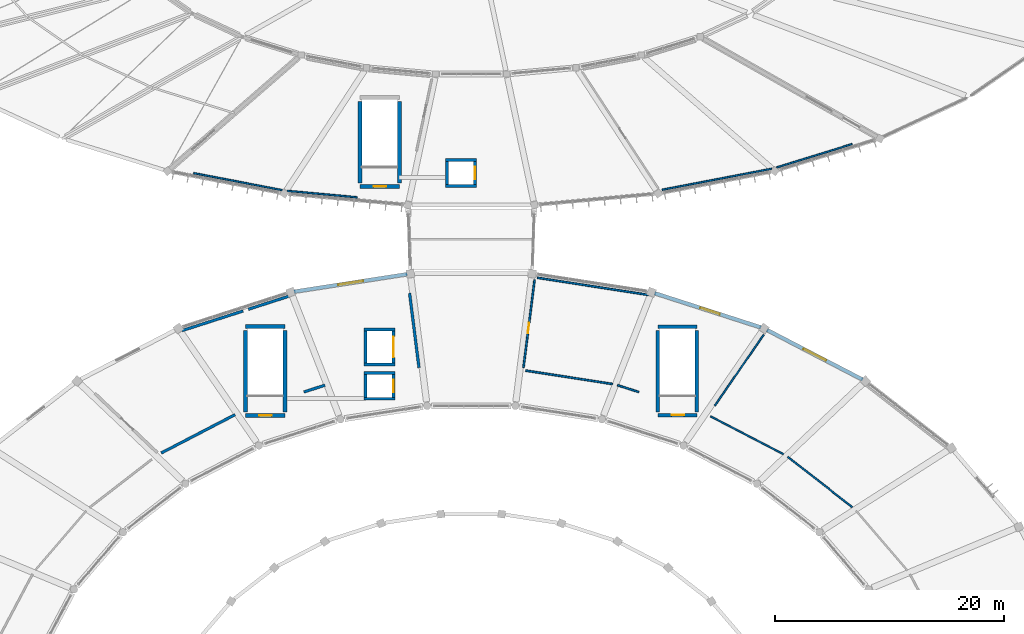
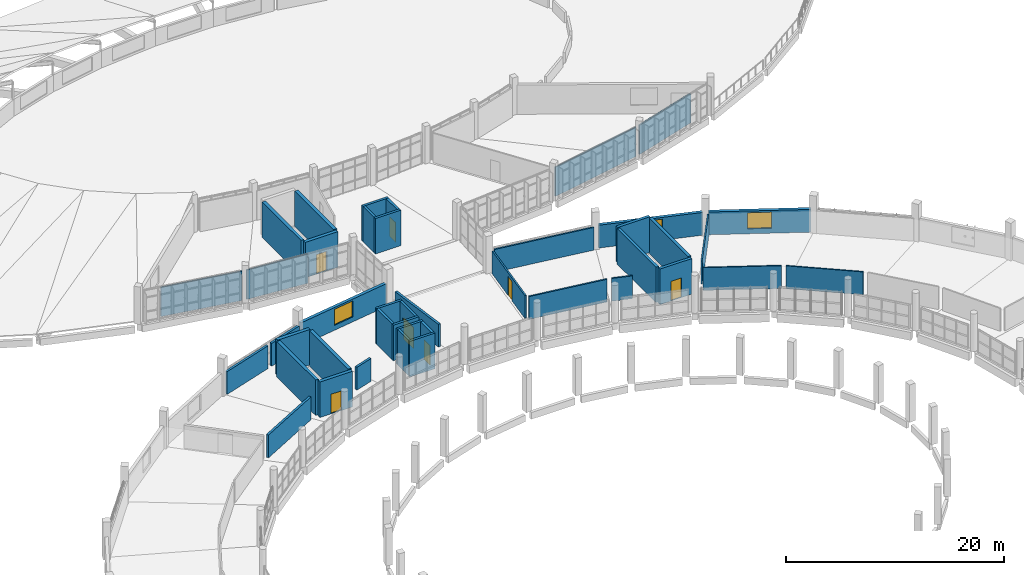
# One storey, part 100 of 142: 42 walls, 7 doors, 3 windows, 10 openings.
"""IFC4 building model written with IfcOpenShell, lengths in metres."""

from ifc_helpers import new_model, si_unit, direction, frame, frame_2d, origin, place, context, subcontext, project, spatial, rectangle, extrude, material, layer, layer_set, type_object, element, fill, save


model = new_model("IFC4")

# Units and contexts
model_context = context("Model", 3, precision=1e-05, world=origin(), true_north=direction((0.0, 1.0)))
body_context = subcontext(model_context, "Body", "Model", "MODEL_VIEW")
ifc_project = project(units=[si_unit("LENGTHUNIT", "METRE"), si_unit("AREAUNIT", "SQUARE_METRE"), si_unit("VOLUMEUNIT", "CUBIC_METRE"), si_unit("PLANEANGLEUNIT", "RADIAN"), si_unit("MASSUNIT", "GRAM", prefix="KILO")], contexts=[model_context])

# Site, building, storey
site_placement = place(None, origin())
site = spatial("IfcSite", under=ifc_project, at=site_placement, CompositionType="ELEMENT")
building_placement = place(site_placement, origin())
building = spatial("IfcBuilding", under=site, at=building_placement, Name="Corvandel Quay Wholesale Market", CompositionType="ELEMENT")
storey_placement = place(building_placement, frame((0.0, 0.0, 10.800048828125)))
storey = spatial("IfcBuildingStorey", under=building, at=storey_placement, Name="L02", CompositionType="ELEMENT", Elevation=10.800048828125)

# Wall, opening, door
ifc_material_1 = material(Name="Concrete C40/50", Category="concrete")
ifc_layer_1 = layer(ifc_material_1, 0.35009765625)
ifc_layer_set_1 = layer_set([ifc_layer_1], Name="Concrete C40/50")
wall_type_1 = type_object("IfcWallType", Name="Core Shear Wall SW01 350", PredefinedType="SHEAR", material=ifc_layer_set_1)
wall_1_placement = place(storey_placement, frame((94.27490234375, 71.625, 0.0), z_axis=(0.0, 0.0, 1.0), x_axis=(1.0, 0.0, 0.0)))
wall_1 = element("IfcWall", 1, at=wall_1_placement, inside=storey, type_object=wall_type_1, Name="Shear Wall IW-0009", PredefinedType="SHEAR", context=body_context, shape_type="SweptSolid", body=[
    extrude(rectangle(XDim=3.4501953125, YDim=0.35009765625, at=frame_2d((1.72509765625, 0.0))), origin(), (0.0, 0.0, 1.0), 3.97998046875),
])
opening_1_placement = place(wall_1_placement, frame((1.199951171875, 0.0, 0.0)))
opening_1 = element("IfcOpeningElement", 2, at=opening_1_placement, cuts=wall_1, Name="Opening L02-D007", PredefinedType="OPENING", context=body_context, shape_type="SweptSolid", body=[
    extrude(rectangle(XDim=1.10009765625, YDim=2.199951171875, at=frame_2d((0.550048828125, 1.10009765625))), frame((0.0, 0.18505859375, 0.0), z_axis=(0.0, -1.0, 0.0), x_axis=(1.0, 0.0, 0.0)), (0.0, 0.0, 1.0), 0.3701171875),
])
ifc_material_2 = material(Name="Galvanised fire-rated hollow steel", Category="steel")
door_type_1 = type_object("IfcDoorType", Name="Exit Stair Fire Door ID01 1100x2200L", OperationType="SINGLE_SWING_LEFT", PredefinedType="DOOR", material=ifc_material_2)
door_1_placement = place(opening_1_placement, origin())
door_1 = element("IfcDoor", 3, at=door_1_placement, inside=storey, type_object=door_type_1, Name="Exit Stair Door SH01-L02", OperationType="SINGLE_SWING_LEFT", OverallHeight=2.199951171875, OverallWidth=1.10009765625, PredefinedType="DOOR", context=body_context, shape_type="SweptSolid", body=[
    extrude(rectangle(XDim=1.10009765625, YDim=2.199951171875, at=frame_2d((0.550048828125, 1.10009765625))), frame((0.0, 0.02490234375, 0.0), z_axis=(0.0, -1.0, 0.0), x_axis=(1.0, 0.0, 0.0)), (0.0, 0.0, 1.0), 0.050048828125),
])
fill(opening_1, door_1)

# Walls
wall_2_placement = place(storey_placement, frame((94.27490234375, 79.375, 0.0), z_axis=(0.0, 0.0, 1.0), x_axis=(1.0, 0.0, 0.0)))
element("IfcWall", 4, at=wall_2_placement, inside=storey, type_object=wall_type_1, Name="Shear Wall IW-0010", PredefinedType="SHEAR", context=body_context, shape_type="SweptSolid", body=[
    extrude(rectangle(XDim=3.4501953125, YDim=0.35009765625, at=frame_2d((1.72509765625, 0.0))), origin(), (0.0, 0.0, 1.0), 3.97998046875),
])
for number, where, z_axis, x_axis, name in (
    (5, (94.27490234375, 71.93994140625, 0.0), (0.0, 0.0, 1.0), (0.0, 1.0, 0.0), "Shear Wall IW-0011"),
    (6, (97.72509765625, 71.93994140625, 0.0), (0.0, 0.0, 1.0), (0.0, 1.0, 0.0), "Shear Wall IW-0012"),
):
    element("IfcWall", number, at=place(storey_placement, frame(where, z_axis=z_axis, x_axis=x_axis)), inside=storey, type_object=wall_type_1, Name=name, PredefinedType="SHEAR", context=body_context, shape_type="SweptSolid", body=[
        extrude(rectangle(XDim=7.1201171875, YDim=0.35009765625, at=frame_2d((3.56005859375, 0.0))), origin(), (0.0, 0.0, 1.0), 3.97998046875),
    ])

# Wall, opening, door
wall_3_placement = place(storey_placement, frame((104.27490234375, 91.625, 0.0), z_axis=(0.0, 0.0, 1.0), x_axis=(1.0, 0.0, 0.0)))
wall_3 = element("IfcWall", 7, at=wall_3_placement, inside=storey, type_object=wall_type_1, Name="Shear Wall IW-0057", PredefinedType="SHEAR", context=body_context, shape_type="SweptSolid", body=[
    extrude(rectangle(XDim=3.4501953125, YDim=0.35009765625, at=frame_2d((1.72509765625, 0.0))), origin(), (0.0, 0.0, 1.0), 3.97998046875),
])
opening_2_placement = place(wall_3_placement, frame((1.199951171875, 0.0, 0.0)))
opening_2 = element("IfcOpeningElement", 8, at=opening_2_placement, cuts=wall_3, Name="Opening L02-D011", PredefinedType="OPENING", context=body_context, shape_type="SweptSolid", body=[
    extrude(rectangle(XDim=1.10009765625, YDim=2.199951171875, at=frame_2d((0.550048828125, 1.10009765625))), frame((0.0, 0.18505859375, 0.0), z_axis=(0.0, -1.0, 0.0), x_axis=(1.0, 0.0, 0.0)), (0.0, 0.0, 1.0), 0.3701171875),
])
door_2_placement = place(opening_2_placement, origin())
door_2 = element("IfcDoor", 9, at=door_2_placement, inside=storey, type_object=door_type_1, Name="Exit Stair Door SH05-L02", OperationType="SINGLE_SWING_LEFT", OverallHeight=2.199951171875, OverallWidth=1.10009765625, PredefinedType="DOOR", context=body_context, shape_type="SweptSolid", body=[
    extrude(rectangle(XDim=1.10009765625, YDim=2.199951171875, at=frame_2d((0.550048828125, 1.10009765625))), frame((0.0, 0.02490234375, 0.0), z_axis=(0.0, -1.0, 0.0), x_axis=(1.0, 0.0, 0.0)), (0.0, 0.0, 1.0), 0.050048828125),
])
fill(opening_2, door_2)

# Walls
for number, where, z_axis, x_axis, name in (
    (10, (104.27490234375, 91.93994140625, 0.0), (0.0, 0.0, 1.0), (0.0, 1.0, 0.0), "Shear Wall IW-0059"),
    (11, (107.72509765625, 91.93994140625, 0.0), (0.0, 0.0, 1.0), (0.0, 1.0, 0.0), "Shear Wall IW-0060"),
):
    element("IfcWall", number, at=place(storey_placement, frame(where, z_axis=z_axis, x_axis=x_axis)), inside=storey, type_object=wall_type_1, Name=name, PredefinedType="SHEAR", context=body_context, shape_type="SweptSolid", body=[
        extrude(rectangle(XDim=7.1201171875, YDim=0.35009765625, at=frame_2d((3.56005859375, 0.0))), origin(), (0.0, 0.0, 1.0), 3.97998046875),
    ])
ifc_material_3 = material(Name="Lightweight concrete blockwork", Category="masonry")
ifc_layer_2 = layer(ifc_material_3, 0.239990234375)
ifc_layer_set_2 = layer_set([ifc_layer_2], Name="Lightweight concrete blockwork")
wall_type_2 = type_object("IfcWallType", Name="Fire Compartment Partition PT01 240", PredefinedType="PARTITIONING", material=ifc_layer_set_2)
wall_4_placement = place(storey_placement, frame((88.73828125, 79.028564453125, 0.0), z_axis=(0.0, 0.0, 1.0), x_axis=(0.951849124053, 0.306566868789, 0.0)))
element("IfcWall", 12, at=wall_4_placement, inside=storey, type_object=wall_type_2, Name="Interior Wall IW-0533", PredefinedType="PARTITIONING", context=body_context, shape_type="SweptSolid", body=[
    extrude(rectangle(XDim=5.596923828125, YDim=0.239990234375, at=frame_2d((2.79833984375, 0.0))), origin(), (0.0, 0.0, 1.0), 2.550048828125),
])
wall_5_placement = place(storey_placement, frame((94.52490234375, 80.892578125, 0.0), z_axis=(0.0, 0.0, 1.0), x_axis=(0.951854136637, 0.306551304951, 0.0)))
element("IfcWall", 13, at=wall_5_placement, inside=storey, type_object=wall_type_2, Name="Interior Wall IW-0534", PredefinedType="PARTITIONING", context=body_context, shape_type="SweptSolid", body=[
    extrude(rectangle(XDim=3.7607421875, YDim=0.239990234375, at=frame_2d((1.88037109375, 0.0))), origin(), (0.0, 0.0, 1.0), 2.550048828125),
])
wall_6_placement = place(storey_placement, frame((108.61376953125, 82.2998046875, 0.0), z_axis=(0.0, 0.0, 1.0), x_axis=(0.12566966592, -0.992072142068, 0.0)))
element("IfcWall", 14, at=wall_6_placement, inside=storey, type_object=wall_type_2, Name="Interior Wall IW-0535", PredefinedType="PARTITIONING", context=body_context, shape_type="SweptSolid", body=[
    extrude(rectangle(XDim=6.560546875, YDim=0.239990234375, at=frame_2d((3.2802734375, 0.0))), origin(), (0.0, 0.0, 1.0), 2.550048828125),
])
wall_7_placement = place(storey_placement, frame((101.220703125, 74.260498046875, 0.0), z_axis=(0.0, 0.0, 1.0), x_axis=(-0.951935015799, -0.306300058268, 0.0)))
element("IfcWall", 15, at=wall_7_placement, inside=storey, type_object=wall_type_2, Name="Interior Wall IW-0536", PredefinedType="PARTITIONING", context=body_context, shape_type="SweptSolid", body=[
    extrude(rectangle(XDim=1.928955078125, YDim=0.239990234375, at=frame_2d((0.96435546875, 0.0))), origin(), (0.0, 0.0, 1.0), 2.550048828125),
])
wall_8_placement = place(storey_placement, frame((93.372802734375, 71.689697265625, 0.0), z_axis=(0.0, 0.0, 1.0), x_axis=(-0.887363504554, -0.461070505222, 0.0)))
element("IfcWall", 16, at=wall_8_placement, inside=storey, type_object=wall_type_2, Name="Interior Wall IW-0537", PredefinedType="PARTITIONING", context=body_context, shape_type="SweptSolid", body=[
    extrude(rectangle(XDim=7.272705078125, YDim=0.239990234375, at=frame_2d((3.63623046875, 0.0))), origin(), (0.0, 0.0, 1.0), 2.550048828125),
])
ifc_layer_3 = layer(ifc_material_1, 0.25)
ifc_layer_set_3 = layer_set([ifc_layer_3], Name="Concrete C40/50")
wall_type_3 = type_object("IfcWallType", Name="Lift Shaft Shear Wall SW03 250", PredefinedType="SHEAR", material=ifc_layer_set_3)
for number, where, z_axis, x_axis, name in (
    (17, (104.64990234375, 73.074951171875, 0.0), (0.0, 0.0, 1.0), (1.0, 0.0, 0.0), "Shear Wall IW-0249"),
    (18, (104.64990234375, 75.324951171875, 0.0), (0.0, 0.0, 1.0), (1.0, 0.0, 0.0), "Shear Wall IW-0250"),
):
    element("IfcWall", number, at=place(storey_placement, frame(where, z_axis=z_axis, x_axis=x_axis)), inside=storey, type_object=wall_type_3, Name=name, PredefinedType="SHEAR", context=body_context, shape_type="SweptSolid", body=[
        extrude(rectangle(XDim=2.7001953125, YDim=0.25, at=frame_2d((1.35009765625, 0.0))), origin(), (0.0, 0.0, 1.0), 3.97998046875),
    ])
wall_9_placement = place(storey_placement, frame((104.77490234375, 73.18994140625, 0.0), z_axis=(0.0, 0.0, 1.0), x_axis=(0.0, 1.0, 0.0)))
element("IfcWall", 19, at=wall_9_placement, inside=storey, type_object=wall_type_3, Name="Shear Wall IW-0251", PredefinedType="SHEAR", context=body_context, shape_type="SweptSolid", body=[
    extrude(rectangle(XDim=2.02001953125, YDim=0.25, at=frame_2d((1.010009765625, 0.0))), origin(), (0.0, 0.0, 1.0), 3.97998046875),
])

# Wall, opening, door
wall_10_placement = place(storey_placement, frame((107.22509765625, 73.18994140625, 0.0), z_axis=(0.0, 0.0, 1.0), x_axis=(0.0, 1.0, 0.0)))
wall_10 = element("IfcWall", 20, at=wall_10_placement, inside=storey, type_object=wall_type_3, Name="Shear Wall IW-0252", PredefinedType="SHEAR", context=body_context, shape_type="SweptSolid", body=[
    extrude(rectangle(XDim=2.02001953125, YDim=0.25, at=frame_2d((1.010009765625, 0.0))), origin(), (0.0, 0.0, 1.0), 3.97998046875),
])
opening_3_placement = place(wall_10_placement, frame((0.4599609375, 0.0, 0.0)))
opening_3 = element("IfcOpeningElement", 21, at=opening_3_placement, cuts=wall_10, Name="Opening LD-L02-022", PredefinedType="OPENING", context=body_context, shape_type="SweptSolid", body=[
    extrude(rectangle(XDim=1.10009765625, YDim=2.199951171875, at=frame_2d((0.550048828125, 1.10009765625))), frame((0.0, 0.135009765625, 0.0), z_axis=(0.0, -1.0, 0.0), x_axis=(1.0, 0.0, 0.0)), (0.0, 0.0, 1.0), 0.27001953125),
])
ifc_material_4 = material(Name="Brushed stainless steel", Category="steel")
door_type_2 = type_object("IfcDoorType", Name="Passenger Lift Landing Door LD01 1100x2200", OperationType="DOUBLE_DOOR_SLIDING", PredefinedType="DOOR", material=ifc_material_4)
door_3_placement = place(opening_3_placement, origin())
door_3 = element("IfcDoor", 22, at=door_3_placement, inside=storey, type_object=door_type_2, Name="Lift Landing Door LF-V1P1-L02", OperationType="DOUBLE_DOOR_SLIDING", OverallHeight=2.199951171875, OverallWidth=1.10009765625, PredefinedType="DOOR", context=body_context, shape_type="SweptSolid", body=[
    extrude(rectangle(XDim=1.10009765625, YDim=2.199951171875, at=frame_2d((0.550048828125, 1.10009765625))), frame((0.0, 0.02490234375, 0.0), z_axis=(0.0, -1.0, 0.0), x_axis=(1.0, 0.0, 0.0)), (0.0, 0.0, 1.0), 0.050048828125),
])
fill(opening_3, door_3)

# Walls
for number, where, z_axis, x_axis, name in (
    (23, (104.64990234375, 76.074951171875, 0.0), (0.0, 0.0, 1.0), (1.0, 0.0, 0.0), "Shear Wall IW-0261"),
    (24, (104.64990234375, 79.125, 0.0), (0.0, 0.0, 1.0), (1.0, 0.0, 0.0), "Shear Wall IW-0262"),
):
    element("IfcWall", number, at=place(storey_placement, frame(where, z_axis=z_axis, x_axis=x_axis)), inside=storey, type_object=wall_type_3, Name=name, PredefinedType="SHEAR", context=body_context, shape_type="SweptSolid", body=[
        extrude(rectangle(XDim=2.7001953125, YDim=0.25, at=frame_2d((1.35009765625, 0.0))), origin(), (0.0, 0.0, 1.0), 3.97998046875),
    ])
wall_11_placement = place(storey_placement, frame((104.77490234375, 76.18994140625, 0.0), z_axis=(0.0, 0.0, 1.0), x_axis=(0.0, 1.0, 0.0)))
element("IfcWall", 25, at=wall_11_placement, inside=storey, type_object=wall_type_3, Name="Shear Wall IW-0263", PredefinedType="SHEAR", context=body_context, shape_type="SweptSolid", body=[
    extrude(rectangle(XDim=2.820068359375, YDim=0.25, at=frame_2d((1.41015625, 0.0))), origin(), (0.0, 0.0, 1.0), 3.97998046875),
])

# Wall, opening, door
wall_12_placement = place(storey_placement, frame((107.22509765625, 76.18994140625, 0.0), z_axis=(0.0, 0.0, 1.0), x_axis=(0.0, 1.0, 0.0)))
wall_12 = element("IfcWall", 26, at=wall_12_placement, inside=storey, type_object=wall_type_3, Name="Shear Wall IW-0264", PredefinedType="SHEAR", context=body_context, shape_type="SweptSolid", body=[
    extrude(rectangle(XDim=2.820068359375, YDim=0.25, at=frame_2d((1.41015625, 0.0))), origin(), (0.0, 0.0, 1.0), 3.97998046875),
])
opening_4_placement = place(wall_12_placement, frame((0.510009765625, 0.0, 0.0)))
opening_4 = element("IfcOpeningElement", 27, at=opening_4_placement, cuts=wall_12, Name="Opening LD-L02-023", PredefinedType="OPENING", context=body_context, shape_type="SweptSolid", body=[
    extrude(rectangle(XDim=1.800048828125, YDim=2.39990234375, at=frame_2d((0.89990234375, 1.199951171875))), frame((0.0, 0.135009765625, 0.0), z_axis=(0.0, -1.0, 0.0), x_axis=(1.0, 0.0, 0.0)), (0.0, 0.0, 1.0), 0.27001953125),
])
ifc_material_5 = material(Name="Heavy-duty brushed stainless steel", Category="steel")
door_type_3 = type_object("IfcDoorType", Name="Goods Lift Landing Door LD02 1800x2400", OperationType="DOUBLE_DOOR_SLIDING", PredefinedType="DOOR", material=ifc_material_5)
door_4_placement = place(opening_4_placement, origin())
door_4 = element("IfcDoor", 28, at=door_4_placement, inside=storey, type_object=door_type_3, Name="Lift Landing Door LF-V1F1-L02", OperationType="DOUBLE_DOOR_SLIDING", OverallHeight=2.39990234375, OverallWidth=1.800048828125, PredefinedType="DOOR", context=body_context, shape_type="SweptSolid", body=[
    extrude(rectangle(XDim=1.800048828125, YDim=2.39990234375, at=frame_2d((0.89990234375, 1.199951171875))), frame((0.0, 0.02490234375, 0.0), z_axis=(0.0, -1.0, 0.0), x_axis=(1.0, 0.0, 0.0)), (0.0, 0.0, 1.0), 0.050048828125),
])
fill(opening_4, door_4)

# Walls
for number, where, z_axis, x_axis, name in (
    (29, (111.75, 91.675048828125, 0.0), (0.0, 0.0, 1.0), (1.0, 0.0, 0.0), "Shear Wall IW-0273"),
    (30, (111.75, 93.925048828125, 0.0), (0.0, 0.0, 1.0), (1.0, 0.0, 0.0), "Shear Wall IW-0274"),
):
    element("IfcWall", number, at=place(storey_placement, frame(where, z_axis=z_axis, x_axis=x_axis)), inside=storey, type_object=wall_type_3, Name=name, PredefinedType="SHEAR", context=body_context, shape_type="SweptSolid", body=[
        extrude(rectangle(XDim=2.699951171875, YDim=0.25, at=frame_2d((1.35009765625, 0.0))), origin(), (0.0, 0.0, 1.0), 3.97998046875),
    ])
wall_13_placement = place(storey_placement, frame((111.875, 91.7900390625, 0.0), z_axis=(0.0, 0.0, 1.0), x_axis=(0.0, 1.0, 0.0)))
element("IfcWall", 31, at=wall_13_placement, inside=storey, type_object=wall_type_3, Name="Shear Wall IW-0275", PredefinedType="SHEAR", context=body_context, shape_type="SweptSolid", body=[
    extrude(rectangle(XDim=2.02001953125, YDim=0.25, at=frame_2d((1.010009765625, 0.0))), origin(), (0.0, 0.0, 1.0), 3.97998046875),
])

# Wall, opening, door
wall_14_placement = place(storey_placement, frame((114.324951171875, 91.7900390625, 0.0), z_axis=(0.0, 0.0, 1.0), x_axis=(0.0, 1.0, 0.0)))
wall_14 = element("IfcWall", 32, at=wall_14_placement, inside=storey, type_object=wall_type_3, Name="Shear Wall IW-0276", PredefinedType="SHEAR", context=body_context, shape_type="SweptSolid", body=[
    extrude(rectangle(XDim=2.02001953125, YDim=0.25, at=frame_2d((1.010009765625, 0.0))), origin(), (0.0, 0.0, 1.0), 3.97998046875),
])
opening_5_placement = place(wall_14_placement, frame((0.4599609375, 0.0, 0.0)))
opening_5 = element("IfcOpeningElement", 33, at=opening_5_placement, cuts=wall_14, Name="Opening LD-L02-024", PredefinedType="OPENING", context=body_context, shape_type="SweptSolid", body=[
    extrude(rectangle(XDim=1.10009765625, YDim=2.199951171875, at=frame_2d((0.550048828125, 1.10009765625))), frame((0.0, 0.135009765625, 0.0), z_axis=(0.0, -1.0, 0.0), x_axis=(1.0, 0.0, 0.0)), (0.0, 0.0, 1.0), 0.27001953125),
])
door_5_placement = place(opening_5_placement, origin())
door_5 = element("IfcDoor", 34, at=door_5_placement, inside=storey, type_object=door_type_2, Name="Lift Landing Door LF-V2P1-L02", OperationType="DOUBLE_DOOR_SLIDING", OverallHeight=2.199951171875, OverallWidth=1.10009765625, PredefinedType="DOOR", context=body_context, shape_type="SweptSolid", body=[
    extrude(rectangle(XDim=1.10009765625, YDim=2.199951171875, at=frame_2d((0.550048828125, 1.10009765625))), frame((0.0, 0.02490234375, 0.0), z_axis=(0.0, -1.0, 0.0), x_axis=(1.0, 0.0, 0.0)), (0.0, 0.0, 1.0), 0.050048828125),
])
fill(opening_5, door_5)

# Walls
ifc_material_6 = material(Name="Double-layer acoustic gypsum stud partition")
ifc_layer_4 = layer(ifc_material_6, 0.139892578125)
ifc_layer_set_4 = layer_set([ifc_layer_4], Name="Double-layer acoustic gypsum stud partition")
wall_type_4 = type_object("IfcWallType", Name="Office Acoustic Partition PT07 140", PredefinedType="PARTITIONING", material=ifc_layer_set_4)
wall_15_placement = place(storey_placement, frame((147.292236328125, 63.60791015625, 0.0), z_axis=(0.0, 0.0, 1.0), x_axis=(-0.789524972824, 0.61371843486, 0.0)))
element("IfcWall", 35, at=wall_15_placement, inside=storey, type_object=wall_type_4, Name="Interior Wall IW-0523", PredefinedType="PARTITIONING", context=body_context, shape_type="SweptSolid", body=[
    extrude(rectangle(XDim=7.15185546875, YDim=0.139892578125, at=frame_2d((3.575927734375, 0.0))), origin(), (0.0, 0.0, 1.0), 2.550048828125),
])
wall_16_placement = place(storey_placement, frame((141.27685546875, 68.2333984375, 0.0), z_axis=(0.0, 0.0, 1.0), x_axis=(-0.887310345139, 0.461172799946, 0.0)))
element("IfcWall", 36, at=wall_16_placement, inside=storey, type_object=wall_type_4, Name="Interior Wall IW-0524", PredefinedType="PARTITIONING", context=body_context, shape_type="SweptSolid", body=[
    extrude(rectangle(XDim=7.177490234375, YDim=0.139892578125, at=frame_2d((3.5888671875, 0.0))), origin(), (0.0, 0.0, 1.0), 2.550048828125),
])
wall_17_placement = place(storey_placement, frame((135.274658203125, 72.462158203125, 0.0), z_axis=(0.0, 0.0, 1.0), x_axis=(0.566428499897, 0.824110887262, 0.0)))
element("IfcWall", 37, at=wall_17_placement, inside=storey, type_object=wall_type_4, Name="Interior Wall IW-0525", PredefinedType="PARTITIONING", context=body_context, shape_type="SweptSolid", body=[
    extrude(rectangle(XDim=7.539794921875, YDim=0.139892578125, at=frame_2d((3.77001953125, 0.0))), origin(), (0.0, 0.0, 1.0), 2.550048828125),
])
wall_18_placement = place(storey_placement, frame((104.055908203125, 90.669921875, 0.0), z_axis=(0.0, 0.0, 1.0), x_axis=(-0.995757634577, 0.092014853052, 0.0)))
element("IfcWall", 38, at=wall_18_placement, inside=storey, type_object=wall_type_4, Name="Interior Wall IW-0664", PredefinedType="PARTITIONING", context=body_context, shape_type="SweptSolid", body=[
    extrude(rectangle(XDim=6.160888671875, YDim=0.139892578125, at=frame_2d((3.08056640625, 0.0))), origin(), (0.0, 0.0, 1.0), 3.280029296875),
])
wall_19_placement = place(storey_placement, frame((97.486083984375, 91.298583984375, 0.0), z_axis=(0.0, 0.0, 1.0), x_axis=(-0.982018159998, 0.188786475771, 0.0)))
element("IfcWall", 39, at=wall_19_placement, inside=storey, type_object=wall_type_4, Name="Interior Wall IW-0665", PredefinedType="PARTITIONING", context=body_context, shape_type="SweptSolid", body=[
    extrude(rectangle(XDim=7.878173828125, YDim=0.139892578125, at=frame_2d((3.93896484375, 0.0))), origin(), (0.0, 0.0, 1.0), 3.280029296875),
])
wall_20_placement = place(storey_placement, frame((147.275146484375, 95.32470703125, 0.0), z_axis=(0.0, 0.0, 1.0), x_axis=(-0.955117560656, -0.296227016538, 0.0)))
element("IfcWall", 40, at=wall_20_placement, inside=storey, type_object=wall_type_4, Name="Interior Wall IW-0671", PredefinedType="PARTITIONING", context=body_context, shape_type="SweptSolid", body=[
    extrude(rectangle(XDim=6.912353515625, YDim=0.139892578125, at=frame_2d((3.4560546875, 0.0))), origin(), (0.0, 0.0, 1.0), 3.280029296875),
])
wall_21_placement = place(storey_placement, frame((140.2470703125, 93.17041015625, 0.0), z_axis=(0.0, 0.0, 1.0), x_axis=(-0.981994120718, -0.188911478942, 0.0)))
element("IfcWall", 41, at=wall_21_placement, inside=storey, type_object=wall_type_4, Name="Interior Wall IW-0672", PredefinedType="PARTITIONING", context=body_context, shape_type="SweptSolid", body=[
    extrude(rectangle(XDim=9.74951171875, YDim=0.139892578125, at=frame_2d((4.874755859375, 0.0))), origin(), (0.0, 0.0, 1.0), 3.280029296875),
])

# Wall, opening, window
ifc_material_7 = material(Name="Buff-pigmented precast concrete C45/55", Category="concrete")
ifc_layer_5 = layer(ifc_material_7, 0.320068359375)
ifc_layer_set_5 = layer_set([ifc_layer_5], Name="Buff-pigmented precast concrete C45/55")
wall_type_5 = type_object("IfcWallType", Name="Sandstone Buff Precast Wall EW02 320", PredefinedType="SOLIDWALL", material=ifc_layer_set_5)
wall_22_placement = place(storey_placement, frame((148.183349609375, 74.74853515625, 0.0), z_axis=(0.0, 0.0, 1.0), x_axis=(-0.887335924519, 0.461123581112, 0.0)))
wall_22 = element("IfcWall", 42, at=wall_22_placement, inside=storey, type_object=wall_type_5, Name="Exterior Wall EW-0012", PredefinedType="SOLIDWALL", context=body_context, shape_type="SweptSolid", body=[
    extrude(rectangle(XDim=9.4267578125, YDim=0.320068359375, at=frame_2d((4.71337890625, 0.0))), origin(), (0.0, 0.0, 1.0), 2.550048828125),
])
opening_6_placement = place(wall_22_placement, frame((3.613037109375, 0.0, 0.550048828125)))
opening_6 = element("IfcOpeningElement", 43, at=opening_6_placement, cuts=wall_22, Name="Opening L02-W003", PredefinedType="OPENING", context=body_context, shape_type="SweptSolid", body=[
    extrude(rectangle(XDim=2.199951171875, YDim=1.800048828125, at=frame_2d((1.10009765625, 0.89990234375))), frame((0.0, 0.169921875, 0.0), z_axis=(0.0, -1.0, 0.0), x_axis=(1.0, 0.0, 0.0)), (0.0, 0.0, 1.0), 0.340087890625),
])
ifc_material_8 = material(Name="Thermally broken bronze anodised aluminium and solar-control low-E double glazing", Category="aluminium")
window_type_1 = type_object("IfcWindowType", Name="Brokers Office Window WN03 2200x1800", PartitioningType="SINGLE_PANEL", PredefinedType="WINDOW", material=ifc_material_8)
window_1_placement = place(opening_6_placement, origin())
window_1 = element("IfcWindow", 44, at=window_1_placement, inside=storey, type_object=window_type_1, Name="Window L02-W003", OverallHeight=1.800048828125, OverallWidth=2.199951171875, PartitioningType="SINGLE_PANEL", PredefinedType="WINDOW", context=body_context, shape_type="SweptSolid", body=[
    extrude(rectangle(XDim=2.199951171875, YDim=1.800048828125, at=frame_2d((1.10009765625, 0.89990234375))), frame((0.0, 0.030029296875, 0.0), z_axis=(0.0, -1.0, 0.0), x_axis=(1.0, 0.0, 0.0)), (0.0, 0.0, 1.0), 0.06005859375),
])
fill(opening_6, window_1)

wall_23_placement = place(storey_placement, frame((139.322021484375, 79.302734375, 0.0), z_axis=(0.0, 0.0, 1.0), x_axis=(-0.95182847269, 0.30663098111, 0.0)))
wall_23 = element("IfcWall", 45, at=wall_23_placement, inside=storey, type_object=wall_type_5, Name="Exterior Wall EW-0016", PredefinedType="SOLIDWALL", context=body_context, shape_type="SweptSolid", body=[
    extrude(rectangle(XDim=9.785400390625, YDim=0.320068359375, at=frame_2d((4.892578125, 0.0))), origin(), (0.0, 0.0, 1.0), 2.550048828125),
])
opening_7_placement = place(wall_23_placement, frame((3.79296875, 0.0, 0.550048828125)))
opening_7 = element("IfcOpeningElement", 46, at=opening_7_placement, cuts=wall_23, Name="Opening L02-W004", PredefinedType="OPENING", context=body_context, shape_type="SweptSolid", body=[
    extrude(rectangle(XDim=1.800048828125, YDim=1.800048828125, at=frame_2d((0.89990234375, 0.89990234375))), frame((0.0, 0.169921875, 0.0), z_axis=(0.0, -1.0, 0.0), x_axis=(1.0, 0.0, 0.0)), (0.0, 0.0, 1.0), 0.340087890625),
])
window_type_2 = type_object("IfcWindowType", Name="Brokers Corner Window WN04 1800x1800", PartitioningType="SINGLE_PANEL", PredefinedType="WINDOW", material=ifc_material_8)
window_2_placement = place(opening_7_placement, origin())
window_2 = element("IfcWindow", 47, at=window_2_placement, inside=storey, type_object=window_type_2, Name="Window L02-W004", OverallHeight=1.800048828125, OverallWidth=1.800048828125, PartitioningType="SINGLE_PANEL", PredefinedType="WINDOW", context=body_context, shape_type="SweptSolid", body=[
    extrude(rectangle(XDim=1.800048828125, YDim=1.800048828125, at=frame_2d((0.89990234375, 0.89990234375))), frame((0.0, 0.030029296875, 0.0), z_axis=(0.0, -1.0, 0.0), x_axis=(1.0, 0.0, 0.0)), (0.0, 0.0, 1.0), 0.06005859375),
])
fill(opening_7, window_2)

wall_24_placement = place(storey_placement, frame((108.414306640625, 83.958740234375, 0.0), z_axis=(0.0, 0.0, 1.0), x_axis=(-0.988241433344, -0.152901502352, 0.0)))
wall_24 = element("IfcWall", 48, at=wall_24_placement, inside=storey, type_object=wall_type_5, Name="Exterior Wall EW-0023", PredefinedType="SOLIDWALL", context=body_context, shape_type="SweptSolid", body=[
    extrude(rectangle(XDim=10.01611328125, YDim=0.320068359375, at=frame_2d((5.008056640625, 0.0))), origin(), (0.0, 0.0, 1.0), 2.550048828125),
])
opening_8_placement = place(wall_24_placement, frame((3.907958984375, 0.0, 0.550048828125)))
opening_8 = element("IfcOpeningElement", 49, at=opening_8_placement, cuts=wall_24, Name="Opening L02-W005", PredefinedType="OPENING", context=body_context, shape_type="SweptSolid", body=[
    extrude(rectangle(XDim=2.199951171875, YDim=1.800048828125, at=frame_2d((1.10009765625, 0.89990234375))), frame((0.0, 0.169921875, 0.0), z_axis=(0.0, -1.0, 0.0), x_axis=(1.0, 0.0, 0.0)), (0.0, 0.0, 1.0), 0.340087890625),
])
window_3_placement = place(opening_8_placement, origin())
window_3 = element("IfcWindow", 50, at=window_3_placement, inside=storey, type_object=window_type_1, Name="Window L02-W005", OverallHeight=1.800048828125, OverallWidth=2.199951171875, PartitioningType="SINGLE_PANEL", PredefinedType="WINDOW", context=body_context, shape_type="SweptSolid", body=[
    extrude(rectangle(XDim=2.199951171875, YDim=1.800048828125, at=frame_2d((1.10009765625, 0.89990234375))), frame((0.0, 0.030029296875, 0.0), z_axis=(0.0, -1.0, 0.0), x_axis=(1.0, 0.0, 0.0)), (0.0, 0.0, 1.0), 0.06005859375),
])
fill(opening_8, window_3)

# Walls
ifc_material_9 = material(Name="Moisture-resistant tile-backer partition")
ifc_layer_6 = layer(ifc_material_9, 0.159912109375)
ifc_layer_set_6 = layer_set([ifc_layer_6], Name="Moisture-resistant tile-backer partition")
wall_type_6 = type_object("IfcWallType", Name="Sanitary Tile Partition PT06 160", PredefinedType="PARTITIONING", material=ifc_layer_set_6)
wall_25_placement = place(storey_placement, frame((128.640625, 73.661376953125, 0.0), z_axis=(0.0, 0.0, 1.0), x_axis=(-0.951955972291, 0.306234920966, 0.0)))
element("IfcWall", 51, at=wall_25_placement, inside=storey, type_object=wall_type_6, Name="Interior Wall IW-0529", PredefinedType="PARTITIONING", context=body_context, shape_type="SweptSolid", body=[
    extrude(rectangle(XDim=1.96044921875, YDim=0.159912109375, at=frame_2d((0.980224609375, 0.0))), origin(), (0.0, 0.0, 1.0), 2.550048828125),
])
wall_26_placement = place(storey_placement, frame((126.34765625, 74.36279296875, 0.0), z_axis=(0.0, 0.0, 1.0), x_axis=(-0.988217342799, 0.153057124605, 0.0)))
element("IfcWall", 52, at=wall_26_placement, inside=storey, type_object=wall_type_6, Name="Interior Wall IW-0530", PredefinedType="PARTITIONING", context=body_context, shape_type="SweptSolid", body=[
    extrude(rectangle(XDim=7.686767578125, YDim=0.159912109375, at=frame_2d((3.84326171875, 0.0))), origin(), (0.0, 0.0, 1.0), 2.550048828125),
])

# Wall, opening, door
wall_27_placement = place(storey_placement, frame((118.561767578125, 75.791259765625, 0.0), z_axis=(0.0, 0.0, 1.0), x_axis=(0.125659269536, 0.992073458963, 0.0)))
wall_27 = element("IfcWall", 53, at=wall_27_placement, inside=storey, type_object=wall_type_6, Name="Interior Wall IW-0531", PredefinedType="PARTITIONING", context=body_context, shape_type="SweptSolid", body=[
    extrude(rectangle(XDim=7.730712890625, YDim=0.159912109375, at=frame_2d((3.865234375, 0.0))), origin(), (0.0, 0.0, 1.0), 2.550048828125),
])
opening_9_placement = place(wall_27_placement, frame((3.014892578125, 0.0, 0.0)))
opening_9 = element("IfcOpeningElement", 54, at=opening_9_placement, cuts=wall_27, Name="Opening L02-D031", PredefinedType="OPENING", context=body_context, shape_type="SweptSolid", body=[
    extrude(rectangle(XDim=0.949951171875, YDim=2.14990234375, at=frame_2d((0.47509765625, 1.074951171875))), frame((0.0, 0.08984375, 0.0), z_axis=(0.0, -1.0, 0.0), x_axis=(1.0, 0.0, 0.0)), (0.0, 0.0, 1.0), 0.179931640625),
])
ifc_material_10 = material(Name="Moisture-resistant HPL solid core")
door_type_4 = type_object("IfcDoorType", Name="Accessible Restroom Door ID14 950x2150R", OperationType="SINGLE_SWING_RIGHT", PredefinedType="DOOR", material=ifc_material_10)
door_6_placement = place(opening_9_placement, origin())
door_6 = element("IfcDoor", 55, at=door_6_placement, inside=storey, type_object=door_type_4, Name="Public Accessible Toilet and Staff WC V1 Door", OperationType="SINGLE_SWING_RIGHT", OverallHeight=2.14990234375, OverallWidth=0.949951171875, PredefinedType="DOOR", context=body_context, shape_type="SweptSolid", body=[
    extrude(rectangle(XDim=0.949951171875, YDim=2.14990234375, at=frame_2d((0.47509765625, 1.074951171875))), frame((0.0, 0.02490234375, 0.0), z_axis=(0.0, -1.0, 0.0), x_axis=(1.0, 0.0, 0.0)), (0.0, 0.0, 1.0), 0.050048828125),
])
fill(opening_9, door_6)

# Wall
wall_28_placement = place(storey_placement, frame((119.7783203125, 83.6455078125, 0.0), z_axis=(0.0, 0.0, 1.0), x_axis=(0.988245282414, -0.152876622761, 0.0)))
element("IfcWall", 56, at=wall_28_placement, inside=storey, type_object=wall_type_6, Name="Interior Wall IW-0532", PredefinedType="PARTITIONING", context=body_context, shape_type="SweptSolid", body=[
    extrude(rectangle(XDim=9.805419921875, YDim=0.159912109375, at=frame_2d((4.90283203125, 0.0))), origin(), (0.0, 0.0, 1.0), 2.550048828125),
])

# Wall, opening, door
ifc_layer_7 = layer(ifc_material_1, 0.300048828125)
ifc_layer_set_7 = layer_set([ifc_layer_7], Name="Concrete C40/50")
wall_type_7 = type_object("IfcWallType", Name="Stair Shaft Shear Wall SW02 300", PredefinedType="SHEAR", material=ifc_layer_set_7)
wall_29_placement = place(storey_placement, frame((130.300048828125, 71.64990234375, 0.0), z_axis=(0.0, 0.0, 1.0), x_axis=(1.0, 0.0, 0.0)))
wall_29 = element("IfcWall", 57, at=wall_29_placement, inside=storey, type_object=wall_type_7, Name="Shear Wall IW-0021", PredefinedType="SHEAR", context=body_context, shape_type="SweptSolid", body=[
    extrude(rectangle(XDim=3.39990234375, YDim=0.300048828125, at=frame_2d((1.699951171875, 0.0))), origin(), (0.0, 0.0, 1.0), 3.97998046875),
])
opening_10_placement = place(wall_29_placement, frame((1.199951171875, 0.0, 0.0)))
opening_10 = element("IfcOpeningElement", 58, at=opening_10_placement, cuts=wall_29, Name="Opening L02-D008", PredefinedType="OPENING", context=body_context, shape_type="SweptSolid", body=[
    extrude(rectangle(XDim=1.10009765625, YDim=2.199951171875, at=frame_2d((0.550048828125, 1.10009765625))), frame((0.0, 0.159912109375, 0.0), z_axis=(0.0, -1.0, 0.0), x_axis=(1.0, 0.0, 0.0)), (0.0, 0.0, 1.0), 0.320068359375),
])
door_type_5 = type_object("IfcDoorType", Name="Exit Stair Fire Door ID02 1100x2200R", OperationType="SINGLE_SWING_RIGHT", PredefinedType="DOOR", material=ifc_material_2)
door_7_placement = place(opening_10_placement, origin())
door_7 = element("IfcDoor", 59, at=door_7_placement, inside=storey, type_object=door_type_5, Name="Exit Stair Door SH02-L02", OperationType="SINGLE_SWING_RIGHT", OverallHeight=2.199951171875, OverallWidth=1.10009765625, PredefinedType="DOOR", context=body_context, shape_type="SweptSolid", body=[
    extrude(rectangle(XDim=1.10009765625, YDim=2.199951171875, at=frame_2d((0.550048828125, 1.10009765625))), frame((0.0, 0.02490234375, 0.0), z_axis=(0.0, -1.0, 0.0), x_axis=(1.0, 0.0, 0.0)), (0.0, 0.0, 1.0), 0.050048828125),
])
fill(opening_10, door_7)

# Walls
wall_30_placement = place(storey_placement, frame((130.300048828125, 79.35009765625, 0.0), z_axis=(0.0, 0.0, 1.0), x_axis=(1.0, 0.0, 0.0)))
element("IfcWall", 60, at=wall_30_placement, inside=storey, type_object=wall_type_7, Name="Shear Wall IW-0022", PredefinedType="SHEAR", context=body_context, shape_type="SweptSolid", body=[
    extrude(rectangle(XDim=3.39990234375, YDim=0.300048828125, at=frame_2d((1.699951171875, 0.0))), origin(), (0.0, 0.0, 1.0), 3.97998046875),
])
for number, where, z_axis, x_axis, name in (
    (61, (130.300048828125, 71.93994140625, 0.0), (0.0, 0.0, 1.0), (0.0, 1.0, 0.0), "Shear Wall IW-0023"),
    (62, (133.699951171875, 71.93994140625, 0.0), (0.0, 0.0, 1.0), (0.0, 1.0, 0.0), "Shear Wall IW-0024"),
):
    element("IfcWall", number, at=place(storey_placement, frame(where, z_axis=z_axis, x_axis=x_axis)), inside=storey, type_object=wall_type_7, Name=name, PredefinedType="SHEAR", context=body_context, shape_type="SweptSolid", body=[
        extrude(rectangle(XDim=7.1201171875, YDim=0.300048828125, at=frame_2d((3.56005859375, 0.0))), origin(), (0.0, 0.0, 1.0), 3.97998046875),
    ])

save(model, "model.ifc")
